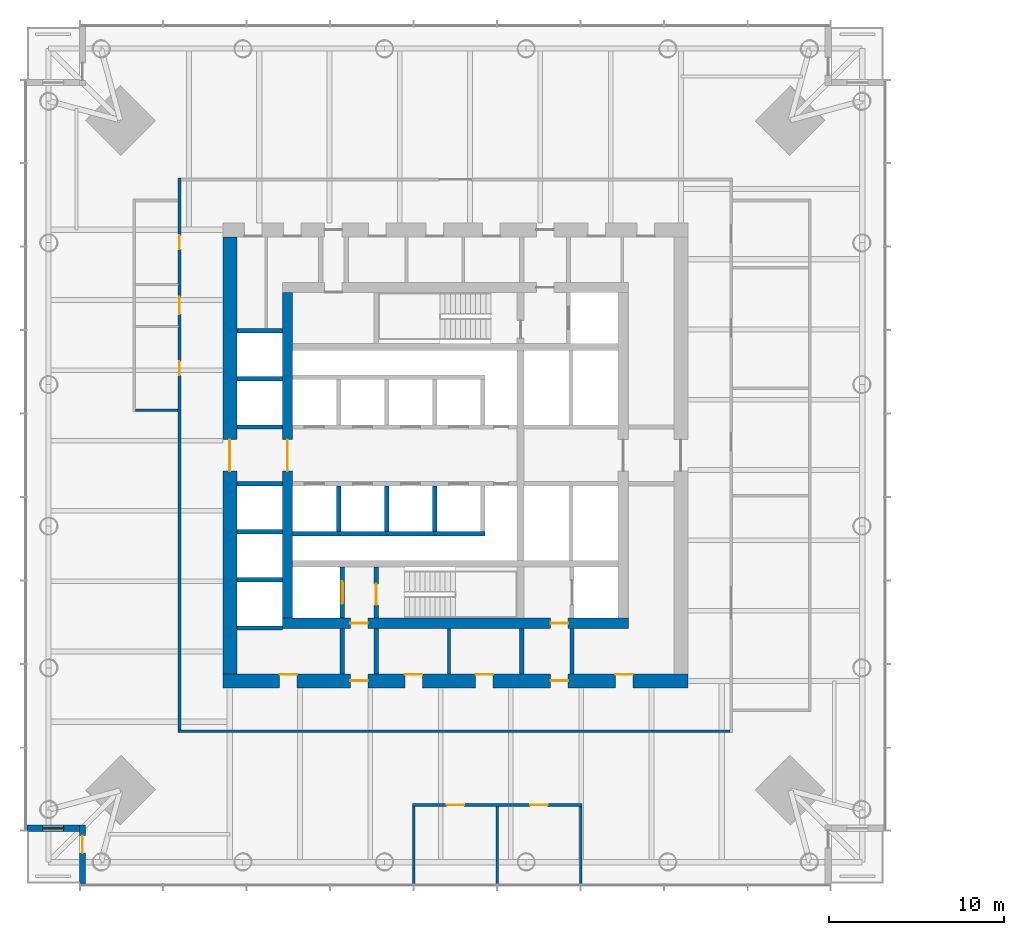
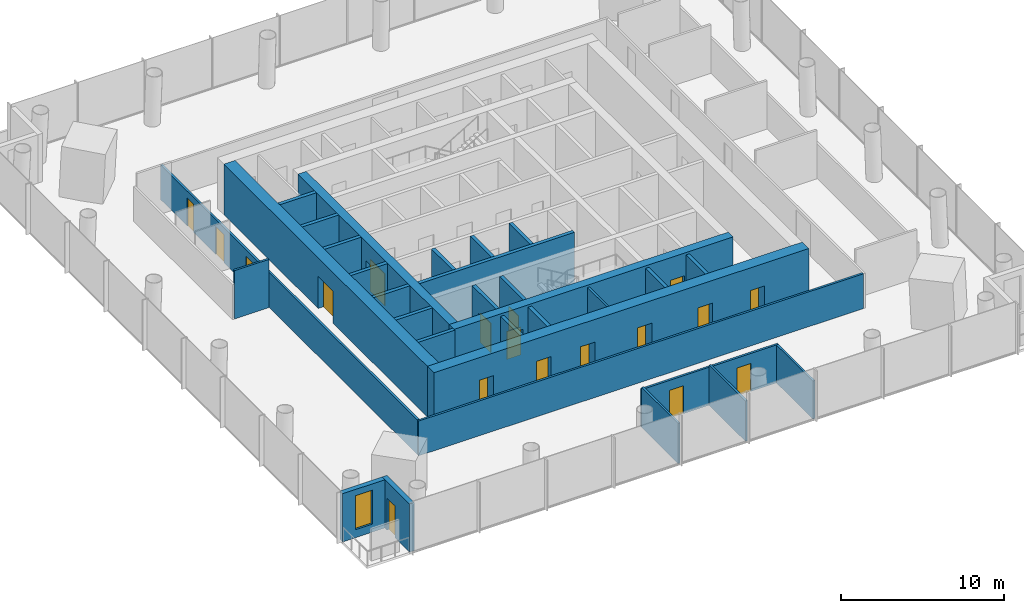
# One storey, part 9 of 21: 31 walls, 18 doors, 1 window, 19 openings.
"""IFC4 building model written with IfcOpenShell, lengths in metres."""

from ifc_helpers import new_model, si_unit, direction, frame, frame_2d, origin, place, context, subcontext, project, spatial, rectangle, extrude, material, layer, layer_set, type_object, element, fill, save


model = new_model("IFC4")

# Units and contexts
model_context = context("Model", 3, precision=1e-05, world=origin(), true_north=direction((0.0, 1.0)))
body_context = subcontext(model_context, "Body", "Model", "MODEL_VIEW")
ifc_project = project(units=[si_unit("LENGTHUNIT", "METRE"), si_unit("AREAUNIT", "SQUARE_METRE"), si_unit("VOLUMEUNIT", "CUBIC_METRE"), si_unit("PLANEANGLEUNIT", "RADIAN"), si_unit("MASSUNIT", "GRAM", prefix="KILO")], contexts=[model_context])

# Site, building, storey
site_placement = place(None, origin())
site = spatial("IfcSite", under=ifc_project, at=site_placement, CompositionType="ELEMENT")
building_placement = place(site_placement, origin())
building = spatial("IfcBuilding", under=site, at=building_placement, Name="Ostroluk Exchange", CompositionType="ELEMENT")
storey_placement = place(building_placement, frame((0.0, 0.0, 43.800048828125)))
storey = spatial("IfcBuildingStorey", under=building, at=storey_placement, Name="L10", CompositionType="ELEMENT", Elevation=43.800048828125)

# Walls
ifc_material_1 = material(Name="Concrete blockwork", Category="masonry")
ifc_layer_1 = layer(ifc_material_1, 0.14990234375)
ifc_layer_set_1 = layer_set([ifc_layer_1], Name="Blockwork plant room wall 150")
wall_type_1 = type_object("IfcWallType", Name="Blockwork plant room wall 150", PredefinedType="SOLIDWALL", material=ifc_layer_set_1)
wall_1_placement = place(storey_placement, frame((44.639892578125, 33.5, 0.0), z_axis=(0.0, 0.0, 1.0), x_axis=(0.0, 1.0, 0.0)))
element("IfcWall", 1, at=wall_1_placement, inside=storey, type_object=wall_type_1, Name="Core room wall", PredefinedType="SOLIDWALL", context=body_context, shape_type="SweptSolid", body=[
    extrude(rectangle(XDim=2.60009765625, YDim=0.14990234375, at=frame_2d((1.300048828125, 0.0))), origin(), (0.0, 0.0, 1.0), 3.619873046875),
])
ifc_material_2 = material(Name="Concrete blockwork", Category="masonry")
ifc_layer_2 = layer(ifc_material_2, 0.25)
ifc_layer_set_2 = layer_set([ifc_layer_2], Name="Blockwork stair enclosure wall 250")
wall_type_2 = type_object("IfcWallType", Name="Blockwork stair enclosure wall 250", PredefinedType="SOLIDWALL", material=ifc_layer_set_2)
for number, where, z_axis, x_axis, name in (
    (2, (38.52490234375, 33.5, 0.0), (0.0, 0.0, 1.0), (0.0, 1.0, 0.0), "Fire lobby enclosure wall"),
    (3, (40.47509765625, 33.5, 0.0), (0.0, 0.0, 1.0), (0.0, 1.0, 0.0), "Fire lobby enclosure wall"),
    (4, (48.804931640625, 33.5, 0.0), (0.0, 0.0, 1.0), (0.0, 1.0, 0.0), "Service lobby enclosure wall"),
    (5, (51.675048828125, 33.5, 0.0), (0.0, 0.0, 1.0), (0.0, 1.0, 0.0), "Service lobby enclosure wall"),
):
    element("IfcWall", number, at=place(storey_placement, frame(where, z_axis=z_axis, x_axis=x_axis)), inside=storey, type_object=wall_type_2, Name=name, PredefinedType="SOLIDWALL", context=body_context, shape_type="SweptSolid", body=[
        extrude(rectangle(XDim=2.60009765625, YDim=0.25, at=frame_2d((1.300048828125, 0.0))), origin(), (0.0, 0.0, 1.0), 3.619873046875),
    ])

# Wall, opening, door
ifc_material_3 = material(Name="Concrete C40/50", Category="concrete")
ifc_layer_3 = layer(ifc_material_3, 0.25)
ifc_layer_set_3 = layer_set([ifc_layer_3], Name="Core shaft wall 250")
wall_type_3 = type_object("IfcWallType", Name="Core shaft wall 250", PredefinedType="SHEAR", material=ifc_layer_set_3)
wall_2_placement = place(storey_placement, frame((38.52490234375, 36.699951171875, 0.0), z_axis=(0.0, 0.0, 1.0), x_axis=(0.0, 1.0, 0.0)))
wall_2 = element("IfcWall", 6, at=wall_2_placement, inside=storey, type_object=wall_type_3, Name="Firefighting lift shaft wall", PredefinedType="SHEAR", context=body_context, shape_type="SweptSolid", body=[
    extrude(rectangle(XDim=2.900146484375, YDim=0.25, at=frame_2d((1.4501953125, 0.0))), origin(), (0.0, 0.0, 1.0), 3.800048828125),
])
opening_1_placement = place(wall_2_placement, frame((0.800048828125, 0.0, 0.0)))
opening_1 = element("IfcOpeningElement", 7, at=opening_1_placement, cuts=wall_2, Name="Opening LD2", PredefinedType="OPENING", context=body_context, shape_type="SweptSolid", body=[
    extrude(rectangle(XDim=1.300048828125, YDim=2.199951171875, at=frame_2d((0.64990234375, 1.10009765625))), frame((0.0, 0.135009765625, 0.0), z_axis=(0.0, -1.0, 0.0), x_axis=(1.0, 0.0, 0.0)), (0.0, 0.0, 1.0), 0.27001953125),
])
ifc_material_4 = material(Name="Stainless steel", Category="steel")
door_type_1 = type_object("IfcDoorType", Name="Lift landing door E 60 1300 x 2200", OperationType="DOUBLE_DOOR_SLIDING", PredefinedType="DOOR", material=ifc_material_4)
door_1_placement = place(opening_1_placement, origin())
door_1 = element("IfcDoor", 8, at=door_1_placement, inside=storey, type_object=door_type_1, Name="Lift FL1 landing door", OperationType="DOUBLE_DOOR_SLIDING", OverallHeight=2.199951171875, OverallWidth=1.300048828125, PredefinedType="DOOR", context=body_context, shape_type="SweptSolid", body=[
    extrude(rectangle(XDim=1.300048828125, YDim=2.199951171875, at=frame_2d((0.64990234375, 1.10009765625))), frame((0.0, 0.02490234375, 0.0), z_axis=(0.0, -1.0, 0.0), x_axis=(1.0, 0.0, 0.0)), (0.0, 0.0, 1.0), 0.050048828125),
])
fill(opening_1, door_1)

wall_3_placement = place(storey_placement, frame((40.47509765625, 36.699951171875, 0.0), z_axis=(0.0, 0.0, 1.0), x_axis=(0.0, 1.0, 0.0)))
wall_3 = element("IfcWall", 9, at=wall_3_placement, inside=storey, type_object=wall_type_3, Name="Stair shaft wall", PredefinedType="SHEAR", context=body_context, shape_type="SweptSolid", body=[
    extrude(rectangle(XDim=2.900146484375, YDim=0.25, at=frame_2d((1.4501953125, 0.0))), origin(), (0.0, 0.0, 1.0), 3.800048828125),
])
opening_2_placement = place(wall_3_placement, frame((0.75, 0.0, 0.0)))
opening_2 = element("IfcOpeningElement", 10, at=opening_2_placement, cuts=wall_3, Name="Opening FD60S", PredefinedType="OPENING", context=body_context, shape_type="SweptSolid", body=[
    extrude(rectangle(XDim=1.199951171875, YDim=2.10009765625, at=frame_2d((0.60009765625, 1.050048828125))), frame((0.0, 0.135009765625, 0.0), z_axis=(0.0, -1.0, 0.0), x_axis=(1.0, 0.0, 0.0)), (0.0, 0.0, 1.0), 0.27001953125),
])
ifc_material_5 = material(Name="Steel", Category="steel")
door_type_2 = type_object("IfcDoorType", Name="Stair door EI 60 1200 x 2100", OperationType="SINGLE_SWING_LEFT", PredefinedType="DOOR", material=ifc_material_5)
door_2_placement = place(opening_2_placement, origin())
door_2 = element("IfcDoor", 11, at=door_2_placement, inside=storey, type_object=door_type_2, Name="Stair T1-S1 door", OperationType="SINGLE_SWING_LEFT", OverallHeight=2.10009765625, OverallWidth=1.199951171875, PredefinedType="DOOR", context=body_context, shape_type="SweptSolid", body=[
    extrude(rectangle(XDim=1.199951171875, YDim=2.10009765625, at=frame_2d((0.60009765625, 1.050048828125))), frame((0.0, 0.02490234375, 0.0), z_axis=(0.0, -1.0, 0.0), x_axis=(1.0, 0.0, 0.0)), (0.0, 0.0, 1.0), 0.050048828125),
])
fill(opening_2, door_2)

# Walls
for number, where, z_axis, x_axis, name in (
    (12, (38.324951171875, 44.25, 0.0), (0.0, 0.0, 1.0), (0.0, -1.0, 0.0), "Lift shaft wall"),
    (13, (41.074951171875, 44.25, 0.0), (0.0, 0.0, 1.0), (0.0, -1.0, 0.0), "Lift shaft wall"),
    (14, (43.824951171875, 44.25, 0.0), (0.0, 0.0, 1.0), (0.0, -1.0, 0.0), "Lift shaft wall"),
):
    element("IfcWall", number, at=place(storey_placement, frame(where, z_axis=z_axis, x_axis=x_axis)), inside=storey, type_object=wall_type_3, Name=name, PredefinedType="SHEAR", context=body_context, shape_type="SweptSolid", body=[
        extrude(rectangle(XDim=2.60009765625, YDim=0.25, at=frame_2d((1.300048828125, 0.0))), origin(), (0.0, 0.0, 1.0), 3.800048828125),
    ])
wall_4_placement = place(storey_placement, frame((35.699951171875, 41.52490234375, 0.0), z_axis=(0.0, 0.0, 1.0), x_axis=(1.0, 0.0, 0.0)))
element("IfcWall", 15, at=wall_4_placement, inside=storey, type_object=wall_type_3, Name="Lift shaft wall", PredefinedType="SHEAR", context=body_context, shape_type="SweptSolid", body=[
    extrude(rectangle(XDim=11.0, YDim=0.25, at=frame_2d((5.5, 0.0))), origin(), (0.0, 0.0, 1.0), 3.800048828125),
])
for number, where, z_axis, x_axis, name in (
    (16, (32.5, 36.125, 0.0), (0.0, 0.0, 1.0), (1.0, 0.0, 0.0), "Lift shaft wall"),
    (17, (32.5, 38.875, 0.0), (0.0, 0.0, 1.0), (1.0, 0.0, 0.0), "Lift shaft wall"),
    (18, (32.5, 41.625, 0.0), (0.0, 0.0, 1.0), (1.0, 0.0, 0.0), "Lift shaft wall"),
    (19, (32.5, 44.375, 0.0), (0.0, 0.0, 1.0), (1.0, 0.0, 0.0), "Lift shaft wall"),
    (20, (32.5, 47.625, 0.0), (0.0, 0.0, 1.0), (1.0, 0.0, 0.0), "Lift shaft wall"),
    (21, (32.5, 50.375, 0.0), (0.0, 0.0, 1.0), (1.0, 0.0, 0.0), "Lift shaft wall"),
    (22, (32.5, 53.125, 0.0), (0.0, 0.0, 1.0), (1.0, 0.0, 0.0), "Lift shaft wall"),
):
    element("IfcWall", number, at=place(storey_placement, frame(where, z_axis=z_axis, x_axis=x_axis)), inside=storey, type_object=wall_type_3, Name=name, PredefinedType="SHEAR", context=body_context, shape_type="SweptSolid", body=[
        extrude(rectangle(XDim=2.60009765625, YDim=0.25, at=frame_2d((1.300048828125, 0.0))), origin(), (0.0, 0.0, 1.0), 3.800048828125),
    ])

# Wall, openings, doors
ifc_material_6 = material(Name="Concrete C50/60", Category="concrete")
ifc_layer_4 = layer(ifc_material_6, 0.60009765625)
ifc_layer_set_4 = layer_set([ifc_layer_4], Name="Core wall 600 C50/60")
wall_type_4 = type_object("IfcWallType", Name="Core wall 600 C50/60", PredefinedType="SHEAR", material=ifc_layer_set_4)
wall_5_placement = place(storey_placement, frame((35.10009765625, 36.39990234375, 0.0), z_axis=(0.0, 0.0, 1.0), x_axis=(1.0, 0.0, 0.0)))
wall_5 = element("IfcWall", 23, at=wall_5_placement, inside=storey, type_object=wall_type_4, Name="T1 core wall S", PredefinedType="SHEAR", context=body_context, shape_type="SweptSolid", body=[
    extrude(rectangle(XDim=19.7998046875, YDim=0.60009765625, at=frame_2d((9.89990234375, 0.0))), origin(), (0.0, 0.0, 1.0), 3.800048828125),
])
opening_3_placement = place(wall_5_placement, frame((3.89990234375, 0.0, 0.0)))
opening_3 = element("IfcOpeningElement", 24, at=opening_3_placement, cuts=wall_5, Name="Opening FD60", PredefinedType="OPENING", context=body_context, shape_type="SweptSolid", body=[
    extrude(rectangle(XDim=1.0, YDim=2.10009765625, at=frame_2d((0.5, 1.050048828125))), frame((0.0, 0.31005859375, 0.0), z_axis=(0.0, -1.0, 0.0), x_axis=(1.0, 0.0, 0.0)), (0.0, 0.0, 1.0), 0.6201171875),
])
opening_4_placement = place(wall_5_placement, frame((15.35009765625, 0.0, 0.0)))
opening_4 = element("IfcOpeningElement", 25, at=opening_4_placement, cuts=wall_5, Name="Opening FD60", PredefinedType="OPENING", context=body_context, shape_type="SweptSolid", body=[
    extrude(rectangle(XDim=1.0, YDim=2.10009765625, at=frame_2d((0.5, 1.050048828125))), frame((0.0, 0.31005859375, 0.0), z_axis=(0.0, -1.0, 0.0), x_axis=(1.0, 0.0, 0.0)), (0.0, 0.0, 1.0), 0.6201171875),
])
ifc_material_7 = material(Name="Steel", Category="steel")
door_type_3 = type_object("IfcDoorType", Name="Fire door EI 60 1000 x 2100", OperationType="SINGLE_SWING_LEFT", PredefinedType="DOOR", material=ifc_material_7)
door_3_placement = place(opening_3_placement, origin())
door_3 = element("IfcDoor", 26, at=door_3_placement, inside=storey, type_object=door_type_3, Name="Firefighting lobby door", OperationType="SINGLE_SWING_LEFT", OverallHeight=2.10009765625, OverallWidth=1.0, PredefinedType="DOOR", context=body_context, shape_type="SweptSolid", body=[
    extrude(rectangle(XDim=1.0, YDim=2.10009765625, at=frame_2d((0.5, 1.050048828125))), frame((0.0, 0.02490234375, 0.0), z_axis=(0.0, -1.0, 0.0), x_axis=(1.0, 0.0, 0.0)), (0.0, 0.0, 1.0), 0.050048828125),
])
fill(opening_3, door_3)
door_4_placement = place(opening_4_placement, origin())
door_4 = element("IfcDoor", 27, at=door_4_placement, inside=storey, type_object=door_type_3, Name="Service lobby door", OperationType="SINGLE_SWING_RIGHT", OverallHeight=2.10009765625, OverallWidth=1.0, PredefinedType="DOOR", context=body_context, shape_type="SweptSolid", body=[
    extrude(rectangle(XDim=1.0, YDim=2.10009765625, at=frame_2d((0.5, 1.050048828125))), frame((0.0, 0.02490234375, 0.0), z_axis=(0.0, -1.0, 0.0), x_axis=(1.0, 0.0, 0.0)), (0.0, 0.0, 1.0), 0.050048828125),
])
fill(opening_4, door_4)

# Wall, opening, door
wall_6_placement = place(storey_placement, frame((35.39990234375, 36.699951171875, 0.0), z_axis=(0.0, 0.0, 1.0), x_axis=(0.0, 1.0, 0.0)))
wall_6 = element("IfcWall", 28, at=wall_6_placement, inside=storey, type_object=wall_type_4, Name="T1 core wall W", PredefinedType="SHEAR", context=body_context, shape_type="SweptSolid", body=[
    extrude(rectangle(XDim=18.60009765625, YDim=0.60009765625, at=frame_2d((9.300048828125, 0.0))), origin(), (0.0, 0.0, 1.0), 3.800048828125),
])
opening_5_placement = place(wall_6_placement, frame((8.39990234375, 0.0, 0.0)))
opening_5 = element("IfcOpeningElement", 29, at=opening_5_placement, cuts=wall_6, Name="Opening FD30D", PredefinedType="OPENING", context=body_context, shape_type="SweptSolid", body=[
    extrude(rectangle(XDim=1.800048828125, YDim=2.39990234375, at=frame_2d((0.89990234375, 1.199951171875))), frame((0.0, 0.31005859375, 0.0), z_axis=(0.0, -1.0, 0.0), x_axis=(1.0, 0.0, 0.0)), (0.0, 0.0, 1.0), 0.6201171875),
])
ifc_material_8 = material(Name="Timber", Category="wood")
door_type_4 = type_object("IfcDoorType", Name="Lobby double door EI 30 1800 x 2400", OperationType="DOUBLE_DOOR_SINGLE_SWING", PredefinedType="DOOR", material=ifc_material_8)
door_5_placement = place(opening_5_placement, origin())
door_5 = element("IfcDoor", 30, at=door_5_placement, inside=storey, type_object=door_type_4, Name="Lift lobby doors", OperationType="DOUBLE_DOOR_SINGLE_SWING", OverallHeight=2.39990234375, OverallWidth=1.800048828125, PredefinedType="DOOR", context=body_context, shape_type="SweptSolid", body=[
    extrude(rectangle(XDim=1.800048828125, YDim=2.39990234375, at=frame_2d((0.89990234375, 1.199951171875))), frame((0.0, 0.02490234375, 0.0), z_axis=(0.0, -1.0, 0.0), x_axis=(1.0, 0.0, 0.0)), (0.0, 0.0, 1.0), 0.050048828125),
])
fill(opening_5, door_5)

# Wall, openings, doors
ifc_material_9 = material(Name="Concrete C50/60", Category="concrete")
ifc_layer_5 = layer(ifc_material_9, 0.800048828125)
ifc_layer_set_5 = layer_set([ifc_layer_5], Name="Core wall 800 C50/60")
wall_type_5 = type_object("IfcWallType", Name="Core wall 800 C50/60", PredefinedType="SHEAR", material=ifc_layer_set_5)
wall_7_placement = place(storey_placement, frame((31.699951171875, 33.10009765625, 0.0), z_axis=(0.0, 0.0, 1.0), x_axis=(1.0, 0.0, 0.0)))
wall_7 = element("IfcWall", 31, at=wall_7_placement, inside=storey, type_object=wall_type_5, Name="T1 core wall RS", PredefinedType="SHEAR", context=body_context, shape_type="SweptSolid", body=[
    extrude(rectangle(XDim=26.60009765625, YDim=0.800048828125, at=frame_2d((13.300048828125, 0.0))), origin(), (0.0, 0.0, 1.0), 3.800048828125),
])
opening_6_placement = place(wall_7_placement, frame((7.300048828125, 0.0, 0.0)))
opening_6 = element("IfcOpeningElement", 32, at=opening_6_placement, cuts=wall_7, Name="Opening FD60", PredefinedType="OPENING", context=body_context, shape_type="SweptSolid", body=[
    extrude(rectangle(XDim=1.0, YDim=2.10009765625, at=frame_2d((0.5, 1.050048828125))), frame((0.0, 0.409912109375, 0.0), z_axis=(0.0, -1.0, 0.0), x_axis=(1.0, 0.0, 0.0)), (0.0, 0.0, 1.0), 0.820068359375),
])
opening_7_placement = place(wall_7_placement, frame((18.75, 0.0, 0.0)))
opening_7 = element("IfcOpeningElement", 33, at=opening_7_placement, cuts=wall_7, Name="Opening FD60", PredefinedType="OPENING", context=body_context, shape_type="SweptSolid", body=[
    extrude(rectangle(XDim=1.0, YDim=2.10009765625, at=frame_2d((0.5, 1.050048828125))), frame((0.0, 0.409912109375, 0.0), z_axis=(0.0, -1.0, 0.0), x_axis=(1.0, 0.0, 0.0)), (0.0, 0.0, 1.0), 0.820068359375),
])
opening_8_placement = place(wall_7_placement, frame((3.25, 0.0, 0.0)))
opening_8 = element("IfcOpeningElement", 34, at=opening_8_placement, cuts=wall_7, Name="Opening FD60", PredefinedType="OPENING", context=body_context, shape_type="SweptSolid", body=[
    extrude(rectangle(XDim=1.0, YDim=2.10009765625, at=frame_2d((0.5, 1.050048828125))), frame((0.0, 0.409912109375, 0.0), z_axis=(0.0, -1.0, 0.0), x_axis=(1.0, 0.0, 0.0)), (0.0, 0.0, 1.0), 0.820068359375),
])
opening_9_placement = place(wall_7_placement, frame((10.419921875, 0.0, 0.0)))
opening_9 = element("IfcOpeningElement", 35, at=opening_9_placement, cuts=wall_7, Name="Opening FD60", PredefinedType="OPENING", context=body_context, shape_type="SweptSolid", body=[
    extrude(rectangle(XDim=1.0, YDim=2.10009765625, at=frame_2d((0.5, 1.050048828125))), frame((0.0, 0.409912109375, 0.0), z_axis=(0.0, -1.0, 0.0), x_axis=(1.0, 0.0, 0.0)), (0.0, 0.0, 1.0), 0.820068359375),
])
opening_10_placement = place(wall_7_placement, frame((14.4599609375, 0.0, 0.0)))
opening_10 = element("IfcOpeningElement", 36, at=opening_10_placement, cuts=wall_7, Name="Opening FD60", PredefinedType="OPENING", context=body_context, shape_type="SweptSolid", body=[
    extrude(rectangle(XDim=1.0, YDim=2.10009765625, at=frame_2d((0.5, 1.050048828125))), frame((0.0, 0.409912109375, 0.0), z_axis=(0.0, -1.0, 0.0), x_axis=(1.0, 0.0, 0.0)), (0.0, 0.0, 1.0), 0.820068359375),
])
opening_11_placement = place(wall_7_placement, frame((22.449951171875, 0.0, 0.0)))
opening_11 = element("IfcOpeningElement", 37, at=opening_11_placement, cuts=wall_7, Name="Opening FD60", PredefinedType="OPENING", context=body_context, shape_type="SweptSolid", body=[
    extrude(rectangle(XDim=1.0, YDim=2.10009765625, at=frame_2d((0.5, 1.050048828125))), frame((0.0, 0.409912109375, 0.0), z_axis=(0.0, -1.0, 0.0), x_axis=(1.0, 0.0, 0.0)), (0.0, 0.0, 1.0), 0.820068359375),
])
door_6_placement = place(opening_6_placement, origin())
door_6 = element("IfcDoor", 38, at=door_6_placement, inside=storey, type_object=door_type_3, Name="Firefighting lobby door", OperationType="SINGLE_SWING_LEFT", OverallHeight=2.10009765625, OverallWidth=1.0, PredefinedType="DOOR", context=body_context, shape_type="SweptSolid", body=[
    extrude(rectangle(XDim=1.0, YDim=2.10009765625, at=frame_2d((0.5, 1.050048828125))), frame((0.0, 0.02490234375, 0.0), z_axis=(0.0, -1.0, 0.0), x_axis=(1.0, 0.0, 0.0)), (0.0, 0.0, 1.0), 0.050048828125),
])
fill(opening_6, door_6)
door_7_placement = place(opening_7_placement, origin())
door_7 = element("IfcDoor", 39, at=door_7_placement, inside=storey, type_object=door_type_3, Name="Service lobby door", OperationType="SINGLE_SWING_RIGHT", OverallHeight=2.10009765625, OverallWidth=1.0, PredefinedType="DOOR", context=body_context, shape_type="SweptSolid", body=[
    extrude(rectangle(XDim=1.0, YDim=2.10009765625, at=frame_2d((0.5, 1.050048828125))), frame((0.0, 0.02490234375, 0.0), z_axis=(0.0, -1.0, 0.0), x_axis=(1.0, 0.0, 0.0)), (0.0, 0.0, 1.0), 0.050048828125),
])
fill(opening_7, door_7)
door_8_placement = place(opening_8_placement, origin())
door_8 = element("IfcDoor", 40, at=door_8_placement, inside=storey, type_object=door_type_3, Name="Archive door", OperationType="SINGLE_SWING_LEFT", OverallHeight=2.10009765625, OverallWidth=1.0, PredefinedType="DOOR", context=body_context, shape_type="SweptSolid", body=[
    extrude(rectangle(XDim=1.0, YDim=2.10009765625, at=frame_2d((0.5, 1.050048828125))), frame((0.0, 0.39013671875, 0.0), z_axis=(0.0, -1.0, 0.0), x_axis=(1.0, 0.0, 0.0)), (0.0, 0.0, 1.0), 0.050048828125),
])
fill(opening_8, door_8)
door_9_placement = place(opening_9_placement, origin())
door_9 = element("IfcDoor", 41, at=door_9_placement, inside=storey, type_object=door_type_3, Name="Tea point door", OperationType="SINGLE_SWING_LEFT", OverallHeight=2.10009765625, OverallWidth=1.0, PredefinedType="DOOR", context=body_context, shape_type="SweptSolid", body=[
    extrude(rectangle(XDim=1.0, YDim=2.10009765625, at=frame_2d((0.5, 1.050048828125))), frame((0.0, 0.39013671875, 0.0), z_axis=(0.0, -1.0, 0.0), x_axis=(1.0, 0.0, 0.0)), (0.0, 0.0, 1.0), 0.050048828125),
])
fill(opening_9, door_9)
door_10_placement = place(opening_10_placement, origin())
door_10 = element("IfcDoor", 42, at=door_10_placement, inside=storey, type_object=door_type_3, Name="Print and post room door", OperationType="SINGLE_SWING_RIGHT", OverallHeight=2.10009765625, OverallWidth=1.0, PredefinedType="DOOR", context=body_context, shape_type="SweptSolid", body=[
    extrude(rectangle(XDim=1.0, YDim=2.10009765625, at=frame_2d((0.5, 1.050048828125))), frame((0.0, 0.39013671875, 0.0), z_axis=(0.0, -1.0, 0.0), x_axis=(1.0, 0.0, 0.0)), (0.0, 0.0, 1.0), 0.050048828125),
])
fill(opening_10, door_10)
door_11_placement = place(opening_11_placement, origin())
door_11 = element("IfcDoor", 43, at=door_11_placement, inside=storey, type_object=door_type_3, Name="Tenant IT room door", OperationType="SINGLE_SWING_RIGHT", OverallHeight=2.10009765625, OverallWidth=1.0, PredefinedType="DOOR", context=body_context, shape_type="SweptSolid", body=[
    extrude(rectangle(XDim=1.0, YDim=2.10009765625, at=frame_2d((0.5, 1.050048828125))), frame((0.0, 0.39013671875, 0.0), z_axis=(0.0, -1.0, 0.0), x_axis=(1.0, 0.0, 0.0)), (0.0, 0.0, 1.0), 0.050048828125),
])
fill(opening_11, door_11)

# Wall, opening, door
wall_8_placement = place(storey_placement, frame((32.10009765625, 33.5, 0.0), z_axis=(0.0, 0.0, 1.0), x_axis=(0.0, 1.0, 0.0)))
wall_8 = element("IfcWall", 44, at=wall_8_placement, inside=storey, type_object=wall_type_5, Name="T1 core wall RW", PredefinedType="SHEAR", context=body_context, shape_type="SweptSolid", body=[
    extrude(rectangle(XDim=25.0, YDim=0.800048828125, at=frame_2d((12.5, 0.0))), origin(), (0.0, 0.0, 1.0), 3.800048828125),
])
opening_12_placement = place(wall_8_placement, frame((11.60009765625, 0.0, 0.0)))
opening_12 = element("IfcOpeningElement", 45, at=opening_12_placement, cuts=wall_8, Name="Opening FD30D", PredefinedType="OPENING", context=body_context, shape_type="SweptSolid", body=[
    extrude(rectangle(XDim=1.800048828125, YDim=2.39990234375, at=frame_2d((0.89990234375, 1.199951171875))), frame((0.0, 0.409912109375, 0.0), z_axis=(0.0, -1.0, 0.0), x_axis=(1.0, 0.0, 0.0)), (0.0, 0.0, 1.0), 0.820068359375),
])
door_12_placement = place(opening_12_placement, origin())
door_12 = element("IfcDoor", 46, at=door_12_placement, inside=storey, type_object=door_type_4, Name="Lift lobby doors", OperationType="DOUBLE_DOOR_SINGLE_SWING", OverallHeight=2.39990234375, OverallWidth=1.800048828125, PredefinedType="DOOR", context=body_context, shape_type="SweptSolid", body=[
    extrude(rectangle(XDim=1.800048828125, YDim=2.39990234375, at=frame_2d((0.89990234375, 1.199951171875))), frame((0.0, 0.02490234375, 0.0), z_axis=(0.0, -1.0, 0.0), x_axis=(1.0, 0.0, 0.0)), (0.0, 0.0, 1.0), 0.050048828125),
])
fill(opening_12, door_12)

ifc_material_10 = material(Name="Limestone", Category="masonry")
ifc_layer_6 = layer(ifc_material_10, 0.35009765625)
ifc_layer_set_6 = layer_set([ifc_layer_6], Name="Limestone facade wall 350")
wall_type_6 = type_object("IfcWallType", Name="Limestone facade wall 350", PredefinedType="SOLIDWALL", material=ifc_layer_set_6)
wall_9_placement = place(storey_placement, frame((23.675048828125, 21.5, 0.0), z_axis=(0.0, 0.0, 1.0), x_axis=(0.0, 1.0, 0.0)))
wall_9 = element("IfcWall", 47, at=wall_9_placement, inside=storey, type_object=wall_type_6, Name="Office tower SW corner wall L10 a", PredefinedType="SOLIDWALL", context=body_context, shape_type="SweptSolid", body=[
    extrude(rectangle(XDim=3.35009765625, YDim=0.35009765625, at=frame_2d((1.675048828125, 0.0))), origin(), (0.0, 0.0, 1.0), 3.619873046875),
])
opening_13_placement = place(wall_9_placement, frame((1.75, 0.0, 0.0)))
opening_13 = element("IfcOpeningElement", 48, at=opening_13_placement, cuts=wall_9, Name="Opening D-B1", PredefinedType="OPENING", context=body_context, shape_type="SweptSolid", body=[
    extrude(rectangle(XDim=1.0, YDim=2.39990234375, at=frame_2d((0.5, 1.199951171875))), frame((0.0, 0.18505859375, 0.0), z_axis=(0.0, -1.0, 0.0), x_axis=(1.0, 0.0, 0.0)), (0.0, 0.0, 1.0), 0.3701171875),
])
ifc_material_11 = material(Name="Bronze framed glazed door", Category="aluminium")
door_type_5 = type_object("IfcDoorType", Name="Balcony door 1000 x 2400", OperationType="SINGLE_SWING_LEFT", PredefinedType="DOOR", material=ifc_material_11)
door_13_placement = place(opening_13_placement, origin())
door_13 = element("IfcDoor", 49, at=door_13_placement, inside=storey, type_object=door_type_5, Name="Office tower SW balcony door L10", OperationType="SINGLE_SWING_RIGHT", OverallHeight=2.39990234375, OverallWidth=1.0, PredefinedType="DOOR", context=body_context, shape_type="SweptSolid", body=[
    extrude(rectangle(XDim=1.0, YDim=2.39990234375, at=frame_2d((0.5, 1.199951171875))), frame((0.0, 0.02490234375, 0.0), z_axis=(0.0, -1.0, 0.0), x_axis=(1.0, 0.0, 0.0)), (0.0, 0.0, 1.0), 0.050048828125),
])
fill(opening_13, door_13)

# Wall, opening, window
wall_10_placement = place(storey_placement, frame((23.5, 24.675048828125, 0.0), z_axis=(0.0, 0.0, 1.0), x_axis=(-1.0, 0.0, 0.0)))
wall_10 = element("IfcWall", 50, at=wall_10_placement, inside=storey, type_object=wall_type_6, Name="Office tower SW corner wall L10 b", PredefinedType="SOLIDWALL", context=body_context, shape_type="SweptSolid", body=[
    extrude(rectangle(XDim=3.0, YDim=0.35009765625, at=frame_2d((1.5, 0.0))), origin(), (0.0, 0.0, 1.0), 3.619873046875),
])
opening_14_placement = place(wall_10_placement, frame((0.89990234375, 0.0, 0.60009765625)))
opening_14 = element("IfcOpeningElement", 51, at=opening_14_placement, cuts=wall_10, Name="Opening WN-L1", PredefinedType="OPENING", context=body_context, shape_type="SweptSolid", body=[
    extrude(rectangle(XDim=1.199951171875, YDim=2.550048828125, at=frame_2d((0.60009765625, 1.27490234375))), frame((0.0, 0.18505859375, 0.0), z_axis=(0.0, -1.0, 0.0), x_axis=(1.0, 0.0, 0.0)), (0.0, 0.0, 1.0), 0.3701171875),
])
ifc_material_12 = material(Name="Laminated clear glass", Category="glass")
window_type = type_object("IfcWindowType", Name="Lancet window 1200 x 2550", PartitioningType="SINGLE_PANEL", PredefinedType="WINDOW", material=ifc_material_12)
window_placement = place(opening_14_placement, origin())
window = element("IfcWindow", 52, at=window_placement, inside=storey, type_object=window_type, Name="Office tower SW lancet window L10", OverallHeight=2.550048828125, OverallWidth=1.199951171875, PartitioningType="SINGLE_PANEL", PredefinedType="WINDOW", context=body_context, shape_type="SweptSolid", body=[
    extrude(rectangle(XDim=1.199951171875, YDim=2.550048828125, at=frame_2d((0.60009765625, 1.27490234375))), frame((0.0, 0.030029296875, 0.0), z_axis=(0.0, -1.0, 0.0), x_axis=(1.0, 0.0, 0.0)), (0.0, 0.0, 1.0), 0.06005859375),
])
fill(opening_14, window)

# Wall, openings, doors
ifc_material_13 = material(Name="Gypsum plasterboard partition", Category="gypsum")
ifc_layer_7 = layer(ifc_material_13, 0.14990234375)
ifc_layer_set_7 = layer_set([ifc_layer_7], Name="Plasterboard partition 150")
wall_type_7 = type_object("IfcWallType", Name="Plasterboard partition 150", PredefinedType="PARTITIONING", material=ifc_layer_set_7)
wall_11_placement = place(storey_placement, frame((42.5361328125, 26.0, 0.0), z_axis=(0.0, 0.0, 1.0), x_axis=(1.0, 0.0, 0.0)))
wall_11 = element("IfcWall", 53, at=wall_11_placement, inside=storey, type_object=wall_type_7, Name="Partition", PredefinedType="PARTITIONING", context=body_context, shape_type="SweptSolid", body=[
    extrude(rectangle(XDim=9.70556640625, YDim=0.14990234375, at=frame_2d((4.852783203125, 0.0))), origin(), (0.0, 0.0, 1.0), 2.849853515625),
])
opening_15_placement = place(wall_11_placement, frame((1.9638671875, 0.0, 0.0)))
opening_15 = element("IfcOpeningElement", 54, at=opening_15_placement, cuts=wall_11, Name="Opening D-03", PredefinedType="OPENING", context=body_context, shape_type="SweptSolid", body=[
    extrude(rectangle(XDim=1.0, YDim=2.10009765625, at=frame_2d((0.5, 1.050048828125))), frame((0.0, 0.0849609375, 0.0), z_axis=(0.0, -1.0, 0.0), x_axis=(1.0, 0.0, 0.0)), (0.0, 0.0, 1.0), 0.169921875),
])
opening_16_placement = place(wall_11_placement, frame((6.74169921875, 0.0, 0.0)))
opening_16 = element("IfcOpeningElement", 55, at=opening_16_placement, cuts=wall_11, Name="Opening D-03", PredefinedType="OPENING", context=body_context, shape_type="SweptSolid", body=[
    extrude(rectangle(XDim=1.0, YDim=2.10009765625, at=frame_2d((0.5, 1.050048828125))), frame((0.0, 0.0849609375, 0.0), z_axis=(0.0, -1.0, 0.0), x_axis=(1.0, 0.0, 0.0)), (0.0, 0.0, 1.0), 0.169921875),
])
ifc_material_14 = material(Name="Timber", Category="wood")
door_type_6 = type_object("IfcDoorType", Name="Internal door 1000 x 2100", OperationType="SINGLE_SWING_LEFT", PredefinedType="DOOR", material=ifc_material_14)
door_14_placement = place(opening_15_placement, origin())
door_14 = element("IfcDoor", 56, at=door_14_placement, inside=storey, type_object=door_type_6, Name="Office door", OperationType="SINGLE_SWING_LEFT", OverallHeight=2.10009765625, OverallWidth=1.0, PredefinedType="DOOR", context=body_context, shape_type="SweptSolid", body=[
    extrude(rectangle(XDim=1.0, YDim=2.10009765625, at=frame_2d((0.5, 1.050048828125))), frame((0.0, 0.02490234375, 0.0), z_axis=(0.0, -1.0, 0.0), x_axis=(1.0, 0.0, 0.0)), (0.0, 0.0, 1.0), 0.050048828125),
])
fill(opening_15, door_14)
door_15_placement = place(opening_16_placement, origin())
door_15 = element("IfcDoor", 57, at=door_15_placement, inside=storey, type_object=door_type_6, Name="Office door", OperationType="SINGLE_SWING_RIGHT", OverallHeight=2.10009765625, OverallWidth=1.0, PredefinedType="DOOR", context=body_context, shape_type="SweptSolid", body=[
    extrude(rectangle(XDim=1.0, YDim=2.10009765625, at=frame_2d((0.5, 1.050048828125))), frame((0.0, 0.02490234375, 0.0), z_axis=(0.0, -1.0, 0.0), x_axis=(1.0, 0.0, 0.0)), (0.0, 0.0, 1.0), 0.050048828125),
])
fill(opening_16, door_15)

# Walls
for number, where, z_axis, x_axis, name in (
    (58, (42.611083984375, 25.925048828125, 0.0), (0.0, 0.0, 1.0), (0.0, -1.0, 0.0), "Partition"),
    (59, (47.388916015625, 25.925048828125, 0.0), (0.0, 0.0, 1.0), (0.0, -1.0, 0.0), "Partition"),
):
    element("IfcWall", number, at=place(storey_placement, frame(where, z_axis=z_axis, x_axis=x_axis)), inside=storey, type_object=wall_type_7, Name=name, PredefinedType="PARTITIONING", context=body_context, shape_type="SweptSolid", body=[
        extrude(rectangle(XDim=4.465087890625, YDim=0.14990234375, at=frame_2d((2.232421875, 0.0))), origin(), (0.0, 0.0, 1.0), 3.02001953125),
    ])
wall_12_placement = place(storey_placement, frame((52.166748046875, 25.925048828125, 0.0), z_axis=(0.0, 0.0, 1.0), x_axis=(0.0, -1.0, 0.0)))
element("IfcWall", 60, at=wall_12_placement, inside=storey, type_object=wall_type_7, Name="Partition", PredefinedType="PARTITIONING", context=body_context, shape_type="SweptSolid", body=[
    extrude(rectangle(XDim=4.465087890625, YDim=0.14990234375, at=frame_2d((2.232421875, 0.0))), origin(), (0.0, 0.0, 1.0), 2.849853515625),
])

# Wall, openings, doors
wall_13_placement = place(storey_placement, frame((29.22509765625, 61.85009765625, 0.0), z_axis=(0.0, 0.0, 1.0), x_axis=(0.0, -1.0, 0.0)))
wall_13 = element("IfcWall", 61, at=wall_13_placement, inside=storey, type_object=wall_type_7, Name="Corridor wall", PredefinedType="PARTITIONING", context=body_context, shape_type="SweptSolid", body=[
    extrude(rectangle(XDim=31.550048828125, YDim=0.14990234375, at=frame_2d((15.77490234375, 0.0))), origin(), (0.0, 0.0, 1.0), 2.612060546875),
])
opening_17_placement = place(wall_13_placement, frame((3.27490234375, 0.0, 0.0)))
opening_17 = element("IfcOpeningElement", 62, at=opening_17_placement, cuts=wall_13, Name="Opening D-06", PredefinedType="OPENING", context=body_context, shape_type="SweptSolid", body=[
    extrude(rectangle(XDim=0.800048828125, YDim=2.10009765625, at=frame_2d((0.39990234375, 1.050048828125))), frame((0.0, 0.0849609375, 0.0), z_axis=(0.0, -1.0, 0.0), x_axis=(1.0, 0.0, 0.0)), (0.0, 0.0, 1.0), 0.169921875),
])
opening_18_placement = place(wall_13_placement, frame((6.77490234375, 0.0, 0.0)))
opening_18 = element("IfcOpeningElement", 63, at=opening_18_placement, cuts=wall_13, Name="Opening D-03", PredefinedType="OPENING", context=body_context, shape_type="SweptSolid", body=[
    extrude(rectangle(XDim=1.0, YDim=2.10009765625, at=frame_2d((0.5, 1.050048828125))), frame((0.0, 0.0849609375, 0.0), z_axis=(0.0, -1.0, 0.0), x_axis=(1.0, 0.0, 0.0)), (0.0, 0.0, 1.0), 0.169921875),
])
opening_19_placement = place(wall_13_placement, frame((10.47509765625, 0.0, 0.0)))
opening_19 = element("IfcOpeningElement", 64, at=opening_19_placement, cuts=wall_13, Name="Opening D-06", PredefinedType="OPENING", context=body_context, shape_type="SweptSolid", body=[
    extrude(rectangle(XDim=0.800048828125, YDim=2.10009765625, at=frame_2d((0.39990234375, 1.050048828125))), frame((0.0, 0.0849609375, 0.0), z_axis=(0.0, -1.0, 0.0), x_axis=(1.0, 0.0, 0.0)), (0.0, 0.0, 1.0), 0.169921875),
])
door_16_placement = place(opening_18_placement, origin())
door_16 = element("IfcDoor", 65, at=door_16_placement, inside=storey, type_object=door_type_6, Name="Accessible WC door", OperationType="SINGLE_SWING_LEFT", OverallHeight=2.10009765625, OverallWidth=1.0, PredefinedType="DOOR", context=body_context, shape_type="SweptSolid", body=[
    extrude(rectangle(XDim=1.0, YDim=2.10009765625, at=frame_2d((0.5, 1.050048828125))), frame((0.0, 0.02490234375, 0.0), z_axis=(0.0, -1.0, 0.0), x_axis=(1.0, 0.0, 0.0)), (0.0, 0.0, 1.0), 0.050048828125),
])
fill(opening_18, door_16)
ifc_material_15 = material(Name="Timber", Category="wood")
door_type_7 = type_object("IfcDoorType", Name="Toilet door 800 x 2100", OperationType="SINGLE_SWING_LEFT", PredefinedType="DOOR", material=ifc_material_15)
door_17_placement = place(opening_17_placement, origin())
door_17 = element("IfcDoor", 66, at=door_17_placement, inside=storey, type_object=door_type_7, Name="WC female door", OperationType="SINGLE_SWING_LEFT", OverallHeight=2.10009765625, OverallWidth=0.800048828125, PredefinedType="DOOR", context=body_context, shape_type="SweptSolid", body=[
    extrude(rectangle(XDim=0.800048828125, YDim=2.10009765625, at=frame_2d((0.39990234375, 1.050048828125))), frame((0.0, 0.02490234375, 0.0), z_axis=(0.0, -1.0, 0.0), x_axis=(1.0, 0.0, 0.0)), (0.0, 0.0, 1.0), 0.050048828125),
])
fill(opening_17, door_17)
door_18_placement = place(opening_19_placement, origin())
door_18 = element("IfcDoor", 67, at=door_18_placement, inside=storey, type_object=door_type_7, Name="WC male door", OperationType="SINGLE_SWING_LEFT", OverallHeight=2.10009765625, OverallWidth=0.800048828125, PredefinedType="DOOR", context=body_context, shape_type="SweptSolid", body=[
    extrude(rectangle(XDim=0.800048828125, YDim=2.10009765625, at=frame_2d((0.39990234375, 1.050048828125))), frame((0.0, 0.02490234375, 0.0), z_axis=(0.0, -1.0, 0.0), x_axis=(1.0, 0.0, 0.0)), (0.0, 0.0, 1.0), 0.050048828125),
])
fill(opening_19, door_18)

# Walls
wall_14_placement = place(storey_placement, frame((29.14990234375, 30.22509765625, 0.0), z_axis=(0.0, 0.0, 1.0), x_axis=(1.0, 0.0, 0.0)))
element("IfcWall", 68, at=wall_14_placement, inside=storey, type_object=wall_type_7, Name="Corridor wall", PredefinedType="PARTITIONING", context=body_context, shape_type="SweptSolid", body=[
    extrude(rectangle(XDim=31.550048828125, YDim=0.14990234375, at=frame_2d((15.77490234375, 0.0))), origin(), (0.0, 0.0, 1.0), 2.612060546875),
])
ifc_material_16 = material(Name="Gypsum plasterboard partition, moisture resistant", Category="gypsum")
ifc_layer_8 = layer(ifc_material_16, 0.14990234375)
ifc_layer_set_8 = layer_set([ifc_layer_8], Name="Plasterboard toilet partition 150")
wall_type_8 = type_object("IfcWallType", Name="Plasterboard toilet partition 150", PredefinedType="PARTITIONING", material=ifc_layer_set_8)
wall_15_placement = place(storey_placement, frame((29.14990234375, 48.574951171875, 0.0), z_axis=(0.0, 0.0, 1.0), x_axis=(-1.0, 0.0, 0.0)))
element("IfcWall", 69, at=wall_15_placement, inside=storey, type_object=wall_type_8, Name="Toilet partition", PredefinedType="PARTITIONING", context=body_context, shape_type="SweptSolid", body=[
    extrude(rectangle(XDim=2.449951171875, YDim=0.14990234375, at=frame_2d((1.22509765625, 0.0))), origin(), (0.0, 0.0, 1.0), 3.619873046875),
])

save(model, "model.ifc")
